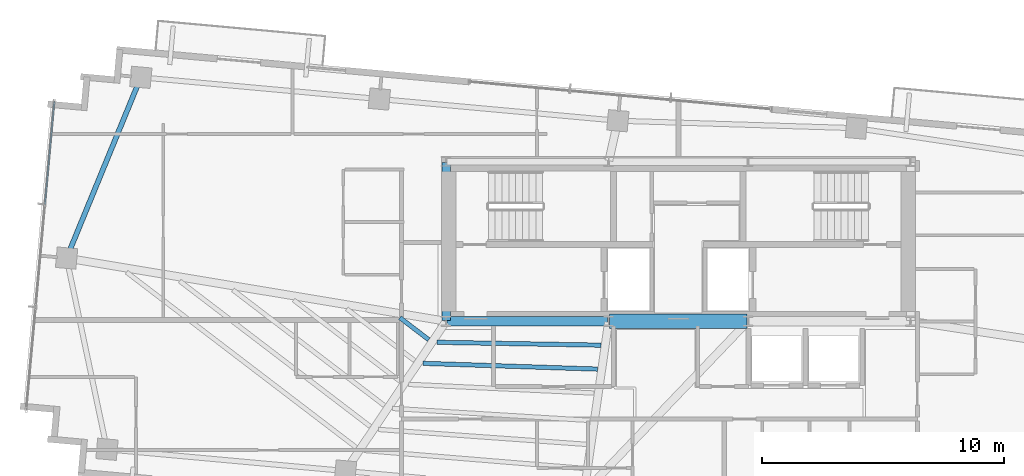
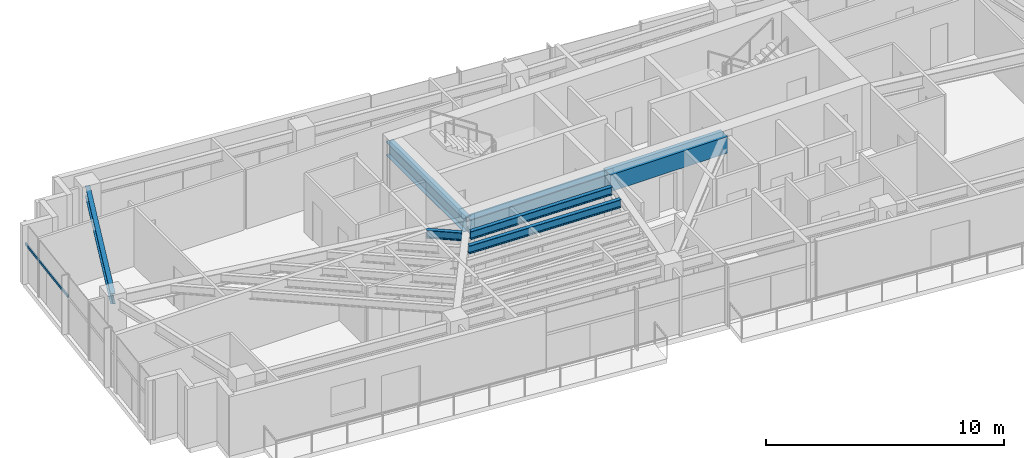
# One storey, part 8 of 22: 7 beams, 1 member, 1 element without a shape of its own.
"""IFC4 building model written with IfcOpenShell, lengths in metres."""

from ifc_helpers import new_model, si_unit, direction, frame, origin, origin_2d, place, context, subcontext, project, spatial, rectangle, hollow_rectangle, i_section, extrude, source, transform, mapped, material, material_profile, profile_set, type_object, type_shapes, element, aggregate, save


model = new_model("IFC4")

# Units and contexts
model_context = context("Model", 3, precision=1e-05, world=origin(), true_north=direction((0.0, 1.0)))
body_context = subcontext(model_context, "Body", "Model", "MODEL_VIEW")
ifc_project = project(units=[si_unit("LENGTHUNIT", "METRE"), si_unit("AREAUNIT", "SQUARE_METRE"), si_unit("VOLUMEUNIT", "CUBIC_METRE"), si_unit("PLANEANGLEUNIT", "RADIAN"), si_unit("MASSUNIT", "GRAM", prefix="KILO")], contexts=[model_context])

# Site, building, storey
site_placement = place(None, origin())
site = spatial("IfcSite", under=ifc_project, at=site_placement, CompositionType="ELEMENT")
building_placement = place(site_placement, origin())
building = spatial("IfcBuilding", under=site, at=building_placement, Name="Astriad Promenade Condominiums", CompositionType="ELEMENT")
storey_placement = place(building_placement, frame((0.0, 0.0, 226.5)))
storey = spatial("IfcBuildingStorey", under=building, at=storey_placement, Name="L65", CompositionType="ELEMENT", Elevation=226.5)

# Beams
ifc_material_1 = material(Name="Steel ASTM A992 Grade 50", Category="steel")
ifc_material_profile_1 = material_profile(ifc_material_1, i_section(OverallWidth=0.3837890625, OverallDepth=0.785888671875, WebThickness=0.019775390625, FlangeThickness=0.033447265625, FilletRadius=0.021484375, at=origin_2d()), Name="W30X211")
ifc_profile_set_1 = profile_set([ifc_material_profile_1], Name="Steel ASTM A992 Grade 50")
beam_type_1 = type_object("IfcBeamType", Name="STEEL FLOOR GIRDER W30X211", PredefinedType="BEAM", material=ifc_profile_set_1)
shared_shape_1 = source(origin(), body_context, "Body", "SweptSolid", [
    extrude(i_section(OverallWidth=0.3837890625, OverallDepth=0.785888671875, WebThickness=0.019775390625, FlangeThickness=0.033447265625, FilletRadius=0.021484375, at=origin_2d()), origin(), (0.0, 0.0, 1.0), 6.64013671875),
])
type_shapes(beam_type_1, [shared_shape_1])
beam_1_placement = place(storey_placement, frame((26.43994140625, 17.39990234375, 2.64697265625), z_axis=(1.0, 0.0, 0.0), x_axis=(0.0, 1.0, 0.0)))
element("IfcBeam", 1, at=beam_1_placement, inside=storey, type_object=beam_type_1, Name="Core Ring Beam CG-S1-L65", PredefinedType="BEAM", context=body_context, shape_type="MappedRepresentation", body=[
    mapped(shared_shape_1, transform((0.0, 0.0, 0.0), scale=1.0)),
])
ifc_material_profile_2 = material_profile(ifc_material_1, i_section(OverallWidth=0.35791015625, OverallDepth=0.706298828125, WebThickness=0.018310546875, FlangeThickness=0.0302734375, FilletRadius=0.020263671875, at=origin_2d()), Name="W27X178")
ifc_profile_set_2 = profile_set([ifc_material_profile_2], Name="Steel ASTM A992 Grade 50")
beam_type_2 = type_object("IfcBeamType", Name="STEEL FLOOR GIRDER W27X178", PredefinedType="BEAM", material=ifc_profile_set_2)
shared_shape_2 = source(origin(), body_context, "Body", "SweptSolid", [
    extrude(i_section(OverallWidth=0.35791015625, OverallDepth=0.706298828125, WebThickness=0.018310546875, FlangeThickness=0.0302734375, FilletRadius=0.020263671875, at=origin_2d()), origin(), (0.0, 0.0, 1.0), 6.52001953125),
])
type_shapes(beam_type_2, [shared_shape_2])
beam_2_placement = place(storey_placement, frame((26.39990234375, 17.43994140625, 2.686767578125), z_axis=(0.0, 1.0, 0.0), x_axis=(-1.0, 0.0, 0.0)))
element("IfcBeam", 2, at=beam_2_placement, inside=storey, type_object=beam_type_2, Name="Core Ring Beam CG-W1-L65", PredefinedType="BEAM", context=body_context, shape_type="MappedRepresentation", body=[
    mapped(shared_shape_2, transform((0.0, 0.0, 0.0), scale=1.0)),
])
ifc_material_2 = material(Name="Concrete C60/75", Category="concrete")
ifc_material_profile_3 = material_profile(ifc_material_2, rectangle(XDim=0.60009765625, YDim=0.85009765625, at=origin_2d()), Name="RC-BM-600X850")
ifc_profile_set_3 = profile_set([ifc_material_profile_3], Name="Concrete C60/75")
beam_type_3 = type_object("IfcBeamType", Name="CONCRETE CORE COUPLING LINTEL 600X850", PredefinedType="LINTEL", material=ifc_profile_set_3)
shared_shape_3 = source(origin(), body_context, "Body", "SweptSolid", [
    extrude(rectangle(XDim=0.60009765625, YDim=0.85009765625, at=origin_2d()), origin(), (0.0, 0.0, 1.0), 5.68017578125),
])
type_shapes(beam_type_3, [shared_shape_3])
beam_3_placement = place(storey_placement, frame((33.159912109375, 17.39990234375, 2.614990234375), z_axis=(1.0, 0.0, 0.0), x_axis=(0.0, 1.0, 0.0)))
element("IfcBeam", 3, at=beam_3_placement, inside=storey, type_object=beam_type_3, Name="Core Ring Beam CG-S2-L65", PredefinedType="LINTEL", context=body_context, shape_type="MappedRepresentation", body=[
    mapped(shared_shape_3, transform((0.0, 0.0, 0.0), scale=1.0)),
])
ifc_material_profile_4 = material_profile(ifc_material_1, i_section(OverallWidth=0.210693359375, OverallDepth=0.53955078125, WebThickness=0.01171875, FlangeThickness=0.018798828125, FilletRadius=0.0166015625, at=origin_2d()), Name="W21X73")
ifc_profile_set_4 = profile_set([ifc_material_profile_4], Name="Steel ASTM A992 Grade 50")
beam_type_4 = type_object("IfcBeamType", Name="STEEL SPANDREL BEAM W21X73", PredefinedType="SPANDREL", material=ifc_profile_set_4)
shared_shape_4 = source(origin(), body_context, "Body", "SweptSolid", [
    extrude(i_section(OverallWidth=0.210693359375, OverallDepth=0.53955078125, WebThickness=0.01171875, FlangeThickness=0.018798828125, FilletRadius=0.0166015625, at=origin_2d()), origin(), (0.0, 0.0, 1.0), 7.998779296875),
])
type_shapes(beam_type_4, [shared_shape_4])
beam_4_placement = place(storey_placement, frame((13.76611328125, 27.44580078125, 2.770263671875), z_axis=(-0.38000513148, -0.924984378273, 0.0), x_axis=(0.924984378273, -0.38000513148, 0.0)))
element("IfcBeam", 4, at=beam_4_placement, inside=storey, type_object=beam_type_4, Name="Perimeter Spandrel Beam SP-W2-L65", PredefinedType="SPANDREL", context=body_context, shape_type="MappedRepresentation", body=[
    mapped(shared_shape_4, transform((0.0, 0.0, 0.0), scale=1.0)),
])
ifc_material_profile_5 = material_profile(ifc_material_1, i_section(OverallWidth=0.180908203125, OverallDepth=0.417236328125, WebThickness=0.010986328125, FlangeThickness=0.018310546875, FilletRadius=0.013916015625, at=origin_2d()), Name="W16X57")
ifc_profile_set_5 = profile_set([ifc_material_profile_5], Name="Steel ASTM A992 Grade 50")
beam_type_5 = type_object("IfcBeamType", Name="STEEL FLOOR JOIST W16X57", PredefinedType="JOIST", material=ifc_profile_set_5)
shared_shape_5 = source(origin(), body_context, "Body", "SweptSolid", [
    extrude(i_section(OverallWidth=0.180908203125, OverallDepth=0.417236328125, WebThickness=0.010986328125, FlangeThickness=0.018310546875, FilletRadius=0.013916015625, at=origin_2d()), origin(), (0.0, 0.0, 1.0), 1.497314453125),
])
beam_5_placement = place(storey_placement, frame((24.489501953125, 17.547119140625, 2.831298828125), z_axis=(0.79482500583, -0.606838701887, 0.0), x_axis=(0.606838701887, 0.79482500583, 0.0)))
element("IfcBeam", 5, at=beam_5_placement, inside=storey, type_object=beam_type_5, Name="Secondary Composite Floor Joist JW1-6-L65", PredefinedType="JOIST", context=body_context, shape_type="MappedRepresentation", body=[
    mapped(shared_shape_5, transform((0.0, 0.0, 0.0), scale=1.0)),
])
shared_shape_6 = source(origin(), body_context, "Body", "SweptSolid", [
    extrude(i_section(OverallWidth=0.180908203125, OverallDepth=0.417236328125, WebThickness=0.010986328125, FlangeThickness=0.018310546875, FilletRadius=0.013916015625, at=origin_2d()), origin(), (0.0, 0.0, 1.0), 7.226318359375),
])
beam_6_placement = place(storey_placement, frame((25.43798828125, 15.659912109375, 2.831298828125), z_axis=(0.999453981353, -0.033041476313, 0.0), x_axis=(0.033041476313, 0.999453981353, 0.0)))
element("IfcBeam", 6, at=beam_6_placement, inside=storey, type_object=beam_type_5, Name="Secondary Composite Floor Joist JCW-5-L65", PredefinedType="JOIST", context=body_context, shape_type="MappedRepresentation", body=[
    mapped(shared_shape_6, transform((0.0, 0.0, 0.0), scale=1.0)),
])
shared_shape_7 = source(origin(), body_context, "Body", "SweptSolid", [
    extrude(i_section(OverallWidth=0.180908203125, OverallDepth=0.417236328125, WebThickness=0.010986328125, FlangeThickness=0.018310546875, FilletRadius=0.013916015625, at=origin_2d()), origin(), (0.0, 0.0, 1.0), 6.781494140625),
])
type_shapes(beam_type_5, [shared_shape_5, shared_shape_6, shared_shape_7])
beam_7_placement = place(storey_placement, frame((26.022216796875, 16.52978515625, 2.831298828125), z_axis=(0.999845665325, -0.017568310398, 0.0), x_axis=(0.017568310398, 0.999845665325, 0.0)))
element("IfcBeam", 7, at=beam_7_placement, inside=storey, type_object=beam_type_5, Name="Secondary Composite Floor Joist JCW-6-L65", PredefinedType="JOIST", context=body_context, shape_type="MappedRepresentation", body=[
    mapped(shared_shape_7, transform((0.0, 0.0, 0.0), scale=1.0)),
])

# Curtain wall, member
ifc_material_3 = material(Name="Anodised aluminium Black Dark Glass Unitised", Category="aluminium")
curtain_wall_type = type_object("IfcCurtainWallType", Name="CW-B5-DARK", PredefinedType="USERDEFINED", material=ifc_material_3)
curtain_wall_placement = place(storey_placement, origin())
curtain_wall = element("IfcCurtainWall", 8, at=curtain_wall_placement, inside=storey, type_object=curtain_wall_type, Name="CW-L65-W", ObjectType="UNITISED_CURTAIN_WALL", PredefinedType="USERDEFINED")
ifc_material_4 = material(Name="Anodised aluminium 6063-T6 Black", Category="aluminium")
ifc_material_profile_6 = material_profile(ifc_material_4, hollow_rectangle(XDim=0.06494140625, YDim=0.1298828125, WallThickness=0.00390625, at=origin_2d()), Name="ALU-TRN-65X130")
ifc_profile_set_6 = profile_set([ifc_material_profile_6], Name="Anodised aluminium 6063-T6 Black")
member_type = type_object("IfcMemberType", Name="TRN-ALU-TRN-65X130", PredefinedType="USERDEFINED", material=ifc_profile_set_6)
shared_shape_8 = source(origin(), body_context, "Body", "SweptSolid", [
    extrude(hollow_rectangle(XDim=0.06494140625, YDim=0.1298828125, WallThickness=0.00390625, at=origin_2d()), origin(), (0.0, 0.0, 1.0), 4.2666015625),
])
type_shapes(member_type, [shared_shape_8])
member_placement = place(storey_placement, frame((9.819091796875, 22.233642578125, 1.884765625), z_axis=(0.090638931954, 0.99588382054, 0.0), x_axis=(-0.99588382054, 0.090638931954, 0.0)))
member = element("IfcMember", 9, at=member_placement, type_object=member_type, Name="CW-L65-W-TRN-02-0", ObjectType="TRANSOM", PredefinedType="USERDEFINED", context=body_context, shape_type="MappedRepresentation", body=[
    mapped(shared_shape_8, transform((0.0, 0.0, 0.0), scale=1.0)),
])
aggregate(curtain_wall, [member])

save(model, "model.ifc")
